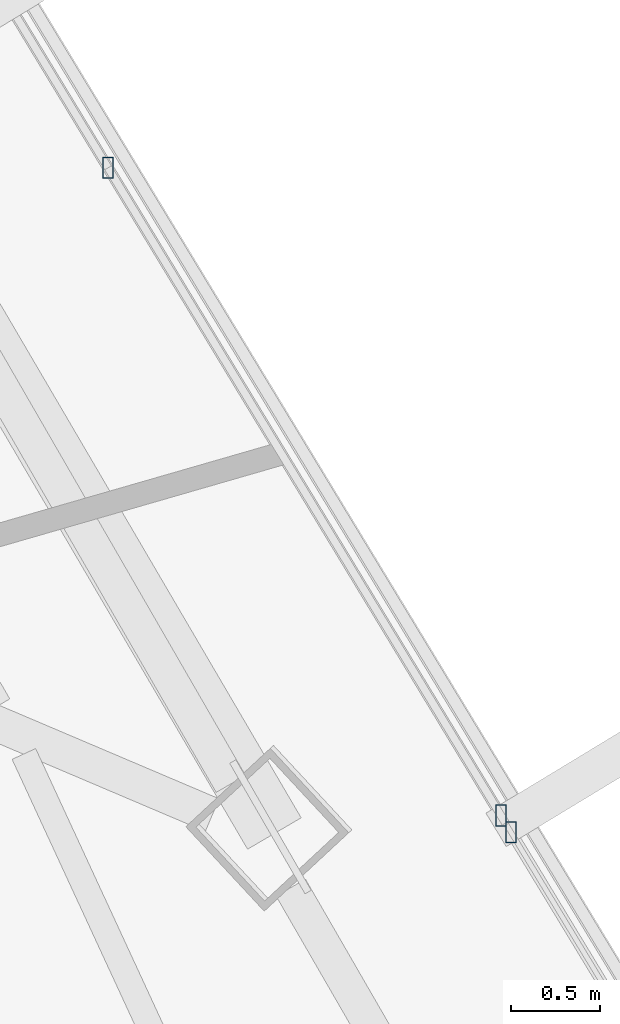
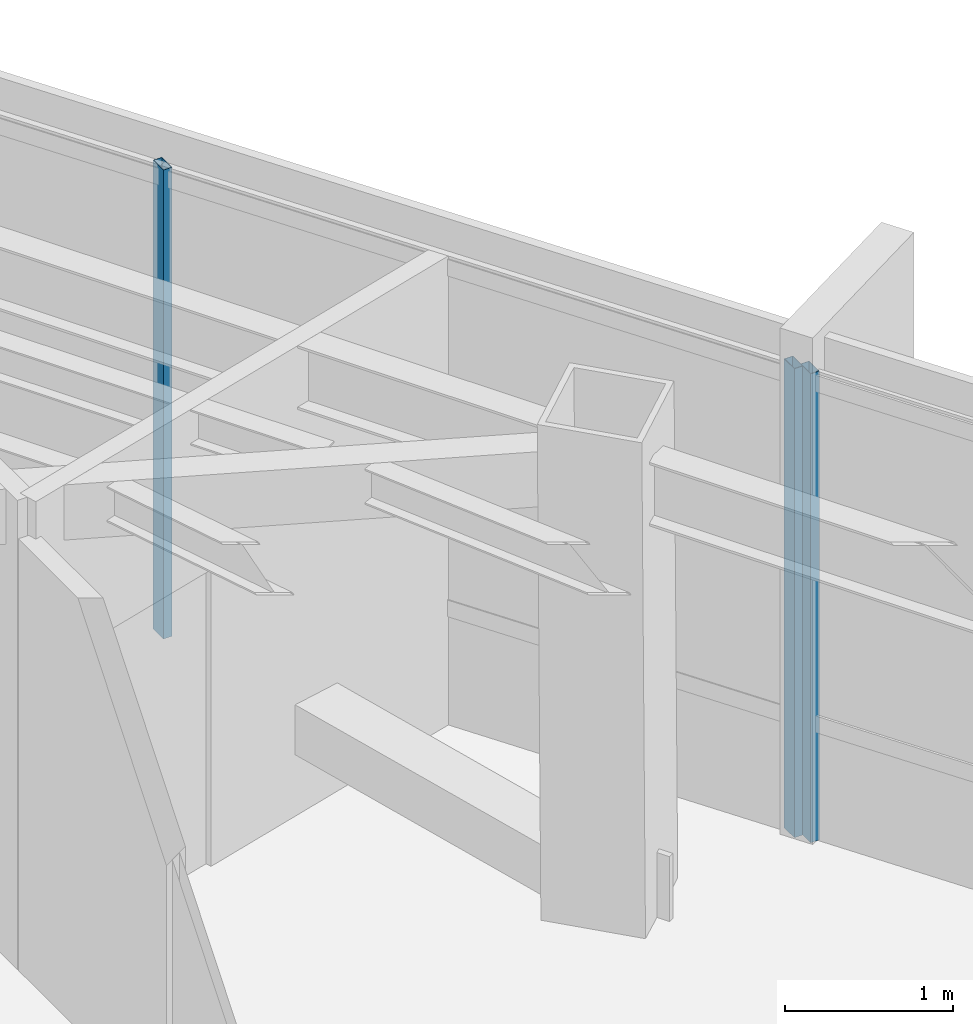
# One storey, part 28 of 46: 3 members, 2 elements without a shape of their own.
"""IFC4 building model written with IfcOpenShell, lengths in metres."""

from ifc_helpers import new_model, si_unit, direction, frame, origin, origin_2d, place, context, subcontext, project, spatial, hollow_rectangle, extrude, source, transform, mapped, material, material_profile, profile_set, type_object, type_shapes, element, aggregate, save


model = new_model("IFC4")

# Units and contexts
model_context = context("Model", 3, precision=1e-05, world=origin(), true_north=direction((0.0, 1.0)))
body_context = subcontext(model_context, "Body", "Model", "MODEL_VIEW")
ifc_project = project(units=[si_unit("LENGTHUNIT", "METRE"), si_unit("AREAUNIT", "SQUARE_METRE"), si_unit("VOLUMEUNIT", "CUBIC_METRE"), si_unit("PLANEANGLEUNIT", "RADIAN"), si_unit("MASSUNIT", "GRAM", prefix="KILO")], contexts=[model_context])

# Site, building, storey
site_placement = place(None, origin())
site = spatial("IfcSite", under=ifc_project, at=site_placement, CompositionType="ELEMENT")
building_placement = place(site_placement, origin())
building = spatial("IfcBuilding", under=site, at=building_placement, Name="Caelisora Broadcast Tower", CompositionType="ELEMENT")
storey_placement = place(building_placement, frame((0.0, 0.0, 237.14990234375)))
storey = spatial("IfcBuildingStorey", under=building, at=storey_placement, Name="L62", CompositionType="ELEMENT", Elevation=237.14990234375)

# Curtain wall, members
ifc_material_1 = material(Name="Unitised Aluminium Insulated Shadow-Box Spandrel Curtain Wall", Category="aluminium")
curtain_wall_type_1 = type_object("IfcCurtainWallType", Name="CW-SP3", PredefinedType="NOTDEFINED", material=ifc_material_1)
curtain_wall_1_placement = place(storey_placement, origin())
curtain_wall_1 = element("IfcCurtainWall", 1, at=curtain_wall_1_placement, inside=storey, type_object=curtain_wall_type_1, Name="L62 curtain wall CW-SP3", PredefinedType="NOTDEFINED")
ifc_material_2 = material(Name="Aluminium 6063-T6 Anodised Terracotta Bronze", Category="aluminium")
ifc_material_profile = material_profile(ifc_material_2, hollow_rectangle(XDim=0.06005859375, YDim=0.1201171875, WallThickness=0.0029296875, at=origin_2d()), Name="Aluminium 6063-T6 Anodised Terracotta Bronze")
ifc_profile_set = profile_set([ifc_material_profile], Name="Aluminium 6063-T6 Anodised Terracotta Bronze")
member_type = type_object("IfcMemberType", Name="CWM-04", PredefinedType="MULLION", material=ifc_profile_set)
shared_shape = source(origin(), body_context, "Body", "SweptSolid", [
    extrude(hollow_rectangle(XDim=0.06005859375, YDim=0.1201171875, WallThickness=0.0029296875, at=origin_2d()), origin(), (0.0, 0.0, 1.0), 3.400146484375),
])
type_shapes(member_type, [shared_shape])
member_1_placement = place(storey_placement, frame((53.02587890625, 30.204345703125, 0.0), z_axis=(0.0, 0.0, 1.0), x_axis=(1.0, 0.0, 0.0)))
member_1 = element("IfcMember", 2, at=member_1_placement, type_object=member_type, Name="L62-CW-B02 mullion #2", PredefinedType="MULLION", context=body_context, shape_type="MappedRepresentation", body=[
    mapped(shared_shape, transform((0.0, 0.0, 0.0), scale=1.0)),
])
member_2_placement = place(storey_placement, frame((55.242431640625, 26.549560546875, 0.0), z_axis=(0.0, 0.0, 1.0), x_axis=(1.0, 0.0, 0.0)))
member_2 = element("IfcMember", 3, at=member_2_placement, type_object=member_type, Name="L62-CW-B02 mullion #3", PredefinedType="MULLION", context=body_context, shape_type="MappedRepresentation", body=[
    mapped(shared_shape, transform((0.0, 0.0, 0.0), scale=1.0)),
])
aggregate(curtain_wall_1, [member_1, member_2])

# Curtain wall, member
ifc_material_3 = material(Name="Unitised Aluminium and Low-E Glass Curtain Wall", Category="glass")
curtain_wall_type_2 = type_object("IfcCurtainWallType", Name="CW-Z5", PredefinedType="NOTDEFINED", material=ifc_material_3)
curtain_wall_2_placement = place(storey_placement, origin())
curtain_wall_2 = element("IfcCurtainWall", 4, at=curtain_wall_2_placement, inside=storey, type_object=curtain_wall_type_2, Name="L62 curtain wall CW-Z5", PredefinedType="NOTDEFINED")
member_3_placement = place(storey_placement, frame((55.299560546875, 26.45556640625, 0.0), z_axis=(0.0, 0.0, 1.0), x_axis=(1.0, 0.0, 0.0)))
member_3 = element("IfcMember", 5, at=member_3_placement, type_object=member_type, Name="L62-CW-B03 mullion #0", PredefinedType="MULLION", context=body_context, shape_type="MappedRepresentation", body=[
    mapped(shared_shape, transform((0.0, 0.0, 0.0), scale=1.0)),
])
aggregate(curtain_wall_2, [member_3])

save(model, "model.ifc")
